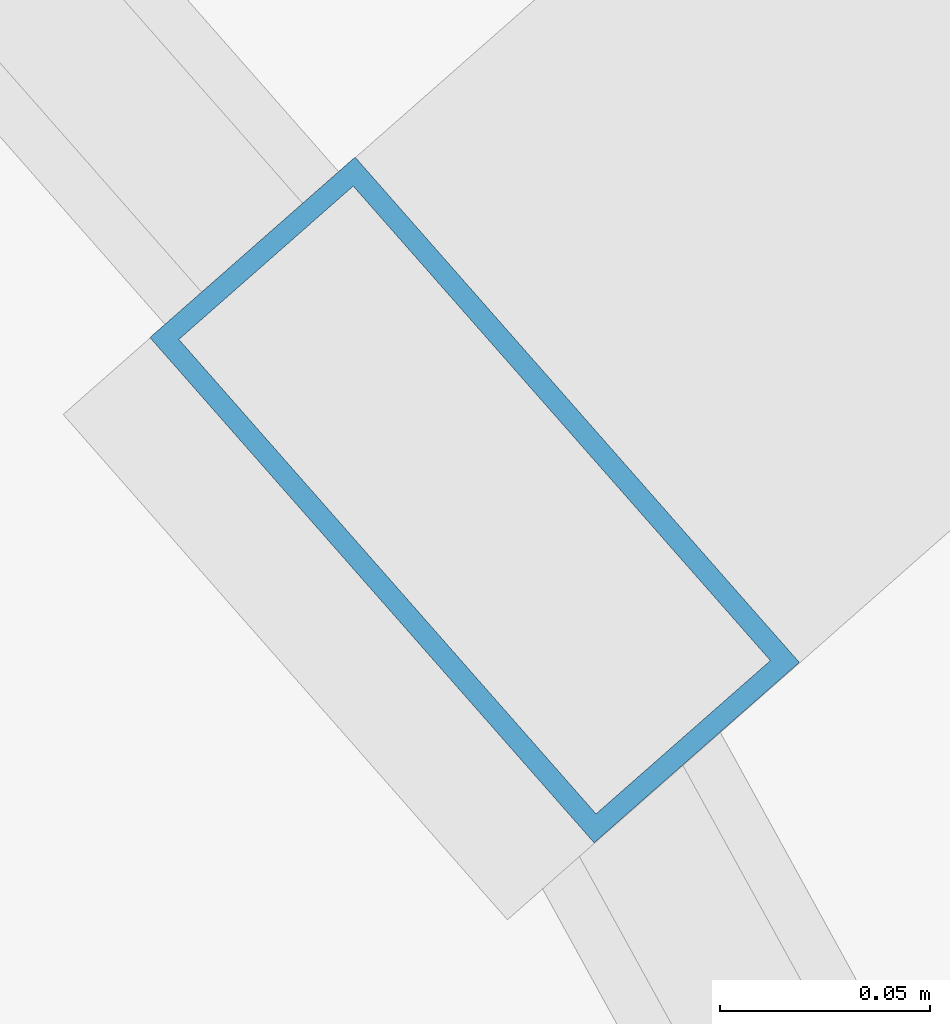
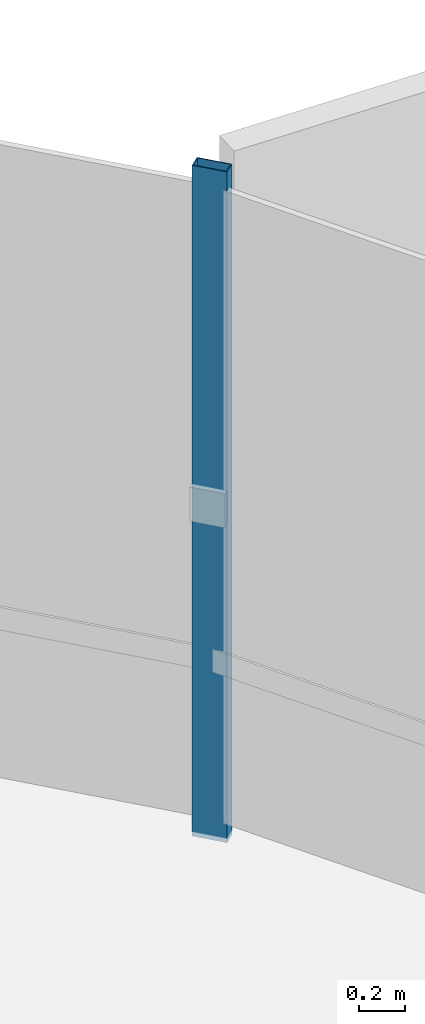
# One storey, part 23 of 37: 1 member, 1 element without a shape of its own.
"""IFC4 building model written with IfcOpenShell, lengths in metres."""

from ifc_helpers import new_model, si_unit, direction, frame, origin, origin_2d, place, context, subcontext, project, spatial, hollow_rectangle, extrude, source, transform, mapped, material, layer, layer_set, material_profile, profile_set, type_object, element, aggregate, save


model = new_model("IFC4")

# Units and contexts
model_context = context("Model", 3, precision=1e-05, world=origin(), true_north=direction((0.0, 1.0)))
body_context = subcontext(model_context, "Body", "Model", "MODEL_VIEW")
ifc_project = project(units=[si_unit("LENGTHUNIT", "METRE"), si_unit("AREAUNIT", "SQUARE_METRE"), si_unit("VOLUMEUNIT", "CUBIC_METRE"), si_unit("PLANEANGLEUNIT", "RADIAN"), si_unit("MASSUNIT", "GRAM", prefix="KILO"), si_unit("THERMODYNAMICTEMPERATUREUNIT", "KELVIN")], contexts=[model_context])

# Site, building, storey
site_placement = place(None, origin())
site = spatial("IfcSite", under=ifc_project, at=site_placement, CompositionType="ELEMENT")
building_placement = place(site_placement, origin())
building = spatial("IfcBuilding", under=site, at=building_placement, Name="Kethvar Cultural Tower", CompositionType="ELEMENT")
storey_placement = place(building_placement, frame((0.0, 0.0, 60.0)))
storey = spatial("IfcBuildingStorey", under=building, at=storey_placement, Name="L14", CompositionType="ELEMENT", Elevation=60.0)

# Curtain wall, member
ifc_material = material(Name="Aluminium 6063-T6", Category="aluminium")
ifc_layer = layer(ifc_material, 0.179931640625, Name="Aluminium 6063-T6", Category="aluminium")
ifc_layer_set = layer_set([ifc_layer], Name="Aluminium 6063-T6 (180 mm)")
curtain_wall_type = type_object("IfcCurtainWallType", Name="CW-SYS-02-Z1", PredefinedType="NOTDEFINED", material=ifc_layer_set)
curtain_wall_placement = place(storey_placement, origin())
curtain_wall = element("IfcCurtainWall", 1, at=curtain_wall_placement, inside=storey, type_object=curtain_wall_type, Name="L14 Curtain Wall Run 01", PredefinedType="NOTDEFINED")
ifc_material_profile = material_profile(ifc_material, hollow_rectangle(XDim=0.06494140625, YDim=0.159912109375, WallThickness=0.0048828125, at=origin_2d()), Name="Aluminium 6063-T6 — RHS160x65x5")
ifc_profile_set = profile_set([ifc_material_profile], Name="Aluminium 6063-T6 — RHS160x65x5")
member_type = type_object("IfcMemberType", Name="CW-SYS-02-Z1-MUL", PredefinedType="MULLION", material=ifc_profile_set)
shared_shape = source(origin(), body_context, "Body", "SweptSolid", [
    extrude(hollow_rectangle(XDim=0.06494140625, YDim=0.159912109375, WallThickness=0.0048828125, at=origin_2d()), origin(), (0.0, 0.0, 1.0), 3.550048828125),
])
member_placement = place(storey_placement, frame((77.245849609375, 40.448486328125, 0.0), z_axis=(0.0, 0.0, 1.0), x_axis=(-0.750987606751, -0.660316298834, 0.0)))
member = element("IfcMember", 2, at=member_placement, type_object=member_type, Name="CW-L14-R01 Mullion 3", PredefinedType="MULLION", context=body_context, shape_type="MappedRepresentation", body=[
    mapped(shared_shape, transform((0.0, 0.0, 0.0), scale=1.0)),
])
aggregate(curtain_wall, [member])

save(model, "model.ifc")
